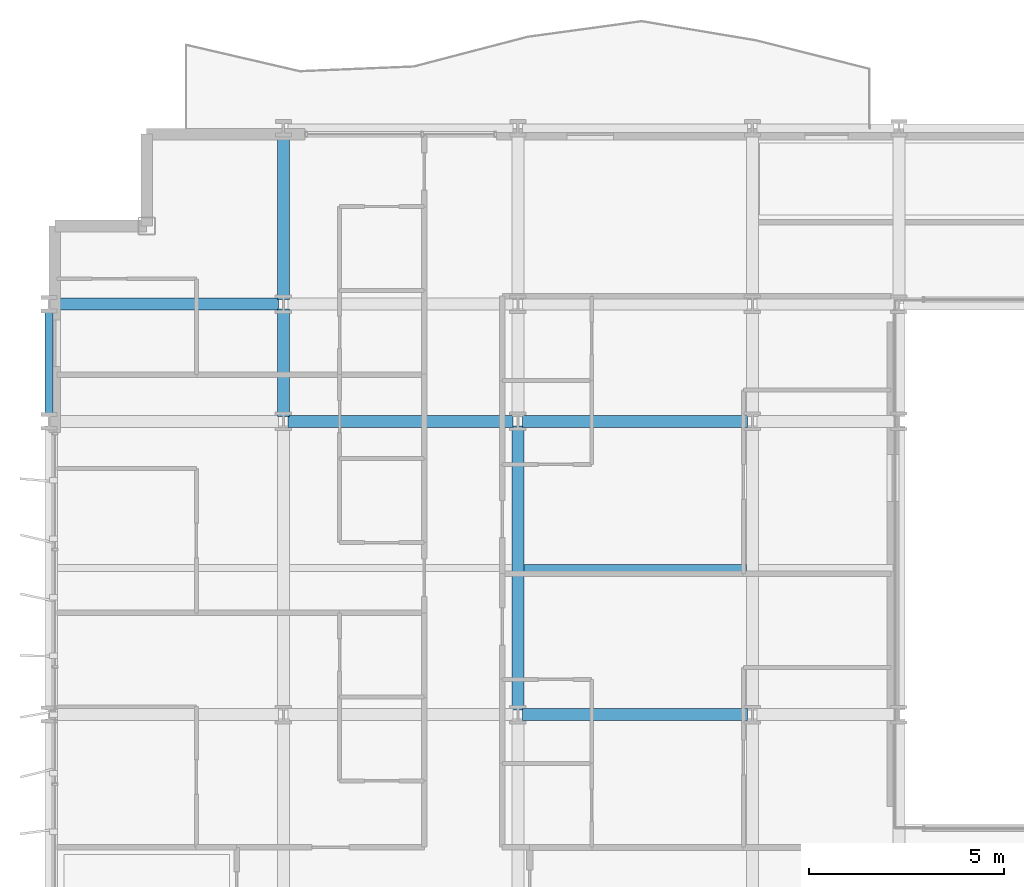
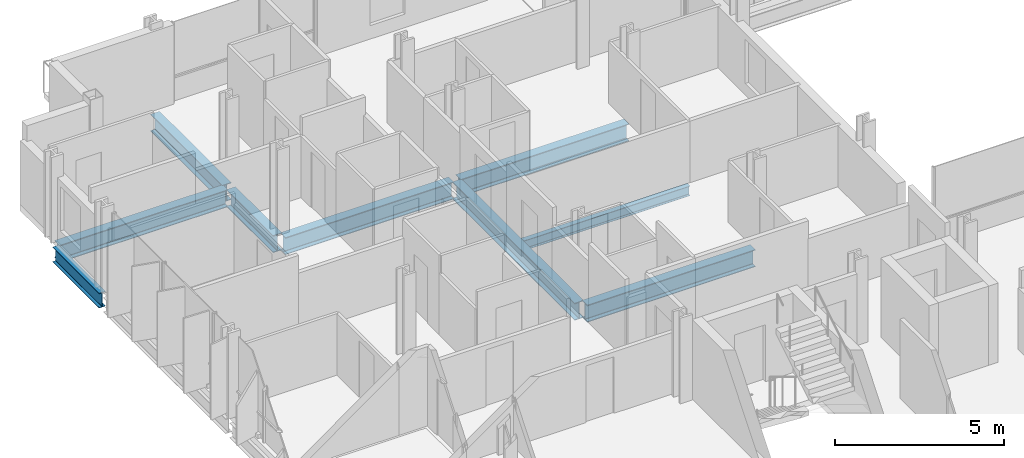
# One storey, part 6 of 39: 9 beams.
"""IFC4 building model written with IfcOpenShell, lengths in metres."""

from ifc_helpers import new_model, si_unit, direction, frame, origin, origin_2d, place, context, subcontext, project, spatial, i_section, extrude, material, material_profile, profile_set, type_object, element, save


model = new_model("IFC4")

# Units and contexts
model_context = context("Model", 3, precision=1e-05, world=origin(), true_north=direction((0.0, 1.0)))
body_context = subcontext(model_context, "Body", "Model", "MODEL_VIEW")
ifc_project = project(units=[si_unit("LENGTHUNIT", "METRE"), si_unit("AREAUNIT", "SQUARE_METRE"), si_unit("VOLUMEUNIT", "CUBIC_METRE"), si_unit("PLANEANGLEUNIT", "RADIAN"), si_unit("MASSUNIT", "GRAM", prefix="KILO")], contexts=[model_context])

# Site, building, storey
site_placement = place(None, origin())
site = spatial("IfcSite", under=ifc_project, at=site_placement, CompositionType="ELEMENT")
building_placement = place(site_placement, origin())
building = spatial("IfcBuilding", under=site, at=building_placement, Name="Brevholm Reach", CompositionType="ELEMENT")
storey_placement = place(building_placement, frame((0.0, 0.0, 34.199951171875)))
storey = spatial("IfcBuildingStorey", under=building, at=storey_placement, Name="L08", CompositionType="ELEMENT", Elevation=34.199951171875)

# Beams
ifc_material_1 = material(Name="Structural Steel S355J2", Category="steel")
ifc_material_profile_1 = material_profile(ifc_material_1, i_section(OverallWidth=0.17138671875, OverallDepth=0.35498046875, WebThickness=0.00732421875, FlangeThickness=0.011474609375, FilletRadius=0.01025390625, at=origin_2d()), Name="UKB 356x171x51")
ifc_profile_set_1 = profile_set([ifc_material_profile_1], Name="Structural Steel S355J2")
beam_type_1 = type_object("IfcBeamType", Name="BM-B356", PredefinedType="BEAM", material=ifc_profile_set_1)
beam_1_placement = place(storey_placement, frame((12.153564453125, 19.75, -0.407470703125), z_axis=(1.0, 0.0, 0.0), x_axis=(0.0, 1.0, 0.0)))
element("IfcBeam", 1, at=beam_1_placement, inside=storey, type_object=beam_type_1, Name="L08 Composite Secondary Floor Beam", PredefinedType="BEAM", context=body_context, shape_type="SweptSolid", body=[
    extrude(i_section(OverallWidth=0.17138671875, OverallDepth=0.35498046875, WebThickness=0.00732421875, FlangeThickness=0.011474609375, FilletRadius=0.01025390625, at=origin_2d()), origin(), (0.0, 0.0, 1.0), 5.69287109375),
])
ifc_material_2 = material(Name="Structural Steel S355J2", Category="steel")
ifc_material_profile_2 = material_profile(ifc_material_2, i_section(OverallWidth=0.210693359375, OverallDepth=0.53955078125, WebThickness=0.01171875, FlangeThickness=0.018798828125, FilletRadius=0.0126953125, at=origin_2d()), Name="UKB 533x210x109")
ifc_profile_set_2 = profile_set([ifc_material_profile_2], Name="Structural Steel S355J2")
beam_type_2 = type_object("IfcBeamType", Name="BM-SP539", PredefinedType="SPANDREL", material=ifc_profile_set_2)
beam_2_placement = place(storey_placement, frame((0.0, 23.6201171875, -0.499755859375), z_axis=(0.0, 1.0, 0.0), x_axis=(-1.0, 0.0, 0.0)))
element("IfcBeam", 2, at=beam_2_placement, inside=storey, type_object=beam_type_2, Name="L08 SP-01B Framing Beam", PredefinedType="SPANDREL", context=body_context, shape_type="SweptSolid", body=[
    extrude(i_section(OverallWidth=0.210693359375, OverallDepth=0.53955078125, WebThickness=0.01171875, FlangeThickness=0.018798828125, FilletRadius=0.0126953125, at=origin_2d()), origin(), (0.0, 0.0, 1.0), 2.759765625),
])
ifc_material_3 = material(Name="Structural Steel S355J2", Category="steel")
ifc_material_profile_3 = material_profile(ifc_material_3, i_section(OverallWidth=0.30712890625, OverallDepth=0.6201171875, WebThickness=0.01416015625, FlangeThickness=0.023681640625, FilletRadius=0.0166015625, at=origin_2d()), Name="UKB 610x305x179")
ifc_profile_set_3 = profile_set([ifc_material_profile_3], Name="Structural Steel S355J2")
beam_type_3 = type_object("IfcBeamType", Name="BM-UKB610H", PredefinedType="USERDEFINED", material=ifc_profile_set_3)
for number, where, z_axis, x_axis, name in (
    (3, (12.1201171875, 16.0, -0.5400390625), (1.0, 0.0, 0.0), (0.0, 1.0, 0.0), "L08 G-06 Framing Beam"),
    (4, (6.1201171875, 23.5, -0.5400390625), (1.0, 0.0, 0.0), (0.0, 1.0, 0.0), "L08 G-06 Framing Beam"),
    (5, (12.1201171875, 23.5, -0.5400390625), (1.0, 0.0, 0.0), (0.0, 1.0, 0.0), "L08 G-06 Framing Beam"),
    (6, (0.1201171875, 26.5, -0.5400390625), (1.0, 0.0, 0.0), (0.0, 1.0, 0.0), "L08 G-06 Framing Beam"),
):
    element("IfcBeam", number, at=place(storey_placement, frame(where, z_axis=z_axis, x_axis=x_axis)), inside=storey, type_object=beam_type_3, Name=name, ObjectType="GIRDER", PredefinedType="USERDEFINED", context=body_context, shape_type="SweptSolid", body=[
        extrude(i_section(OverallWidth=0.30712890625, OverallDepth=0.6201171875, WebThickness=0.01416015625, FlangeThickness=0.023681640625, FilletRadius=0.0166015625, at=origin_2d()), origin(), (0.0, 0.0, 1.0), 5.759765625),
    ])
beam_3_placement = place(storey_placement, frame((6.0, 23.6201171875, -0.5400390625), z_axis=(0.0, 1.0, 0.0), x_axis=(-1.0, 0.0, 0.0)))
element("IfcBeam", 7, at=beam_3_placement, inside=storey, type_object=beam_type_3, Name="L08 G-06 Framing Beam", ObjectType="GIRDER", PredefinedType="USERDEFINED", context=body_context, shape_type="SweptSolid", body=[
    extrude(i_section(OverallWidth=0.30712890625, OverallDepth=0.6201171875, WebThickness=0.01416015625, FlangeThickness=0.023681640625, FilletRadius=0.0166015625, at=origin_2d()), origin(), (0.0, 0.0, 1.0), 2.759765625),
])
beam_4_placement = place(storey_placement, frame((6.0, 26.6201171875, -0.5400390625), z_axis=(0.0, 1.0, 0.0), x_axis=(-1.0, 0.0, 0.0)))
element("IfcBeam", 8, at=beam_4_placement, inside=storey, type_object=beam_type_3, Name="L08 G-06 Framing Beam", ObjectType="GIRDER", PredefinedType="USERDEFINED", context=body_context, shape_type="SweptSolid", body=[
    extrude(i_section(OverallWidth=0.30712890625, OverallDepth=0.6201171875, WebThickness=0.01416015625, FlangeThickness=0.023681640625, FilletRadius=0.0166015625, at=origin_2d()), origin(), (0.0, 0.0, 1.0), 4.259765625),
])
beam_5_placement = place(storey_placement, frame((12.0, 16.1201171875, -0.5400390625), z_axis=(0.0, 1.0, 0.0), x_axis=(-1.0, 0.0, 0.0)))
element("IfcBeam", 9, at=beam_5_placement, inside=storey, type_object=beam_type_3, Name="L08 G-06 Framing Beam", ObjectType="GIRDER", PredefinedType="USERDEFINED", context=body_context, shape_type="SweptSolid", body=[
    extrude(i_section(OverallWidth=0.30712890625, OverallDepth=0.6201171875, WebThickness=0.01416015625, FlangeThickness=0.023681640625, FilletRadius=0.0166015625, at=origin_2d()), origin(), (0.0, 0.0, 1.0), 7.259765625),
])

save(model, "model.ifc")
